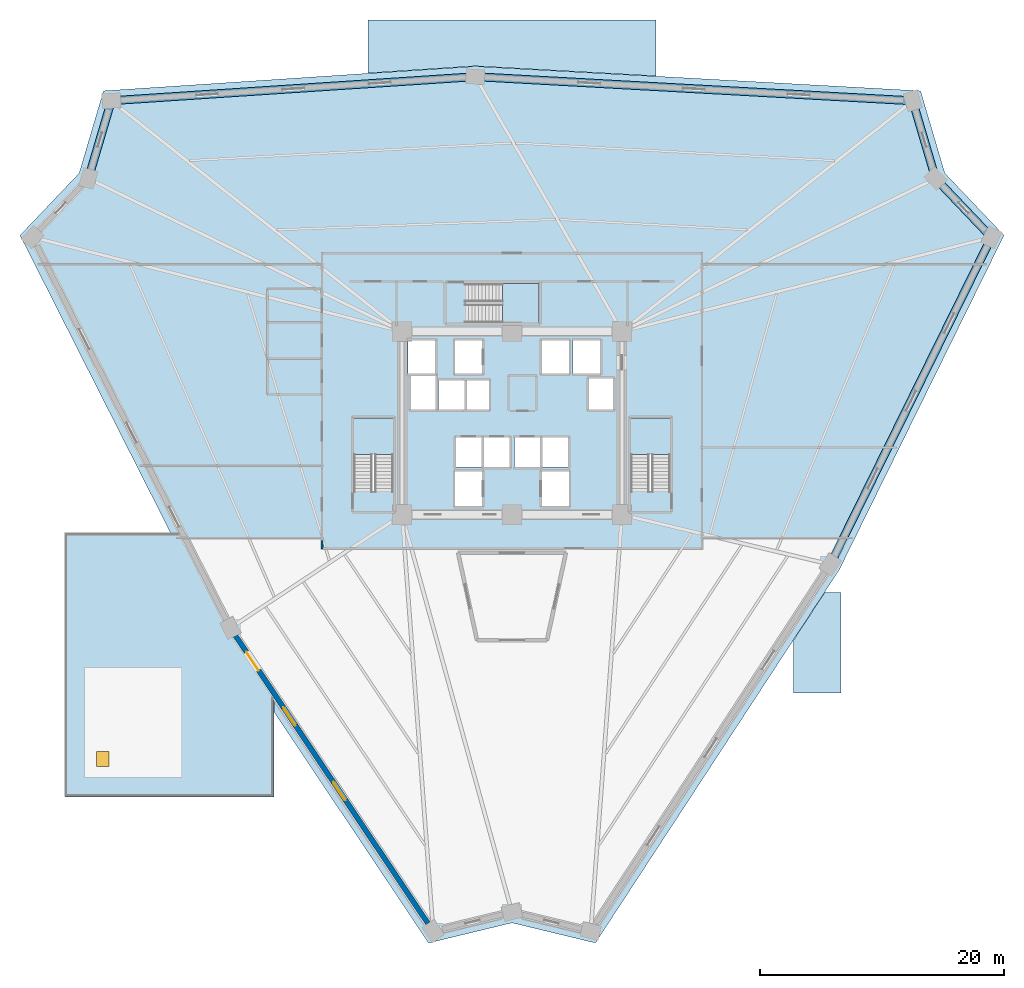
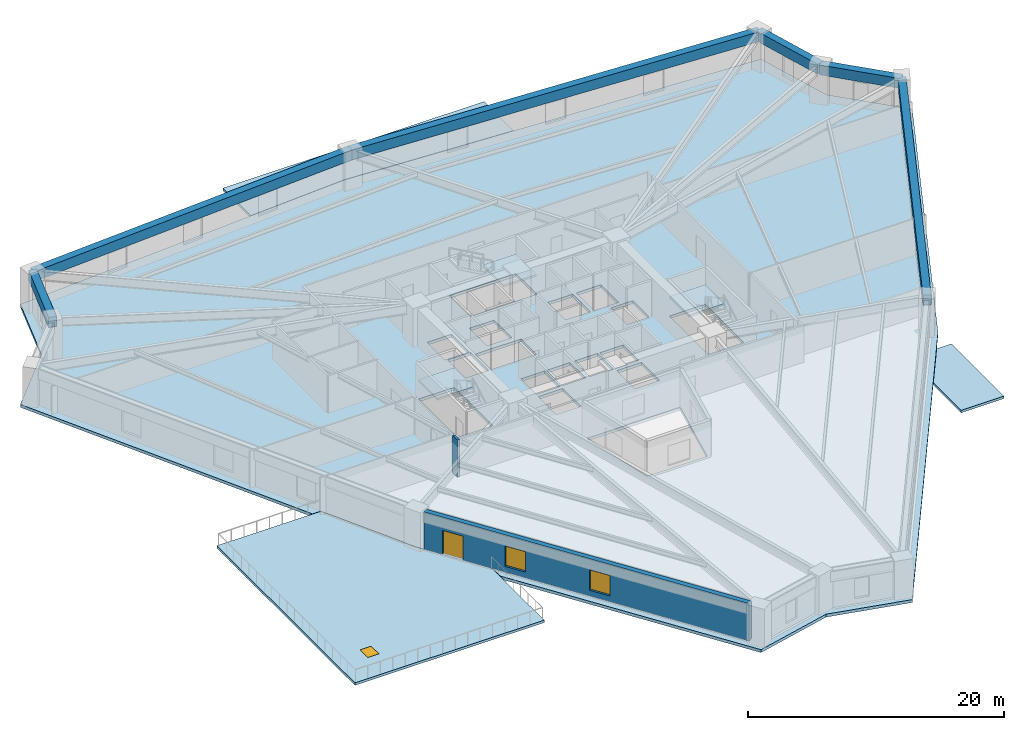
# One storey, part 2 of 9: 7 slabs, 6 beams, 2 doors, 2 walls, 2 windows, 4 openings, 3 elements without a shape of their own.
"""IFC4 building model written with IfcOpenShell, lengths in metres."""

from ifc_helpers import new_model, si_unit, direction, frame, frame_2d, origin, origin_2d, place, context, subcontext, project, spatial, polyline, rectangle, outline, extrude, source, transform, mapped, material, layer, layer_set, material_profile, profile_set, type_object, element, fill, aggregate, save


model = new_model("IFC4")

# Units and contexts
model_context = context("Model", 3, precision=1e-05, world=origin(), true_north=direction((0.0, 1.0)))
body_context = subcontext(model_context, "Body", "Model", "MODEL_VIEW")
ifc_project = project(units=[si_unit("LENGTHUNIT", "METRE"), si_unit("AREAUNIT", "SQUARE_METRE"), si_unit("VOLUMEUNIT", "CUBIC_METRE"), si_unit("PLANEANGLEUNIT", "RADIAN"), si_unit("MASSUNIT", "GRAM", prefix="KILO")], contexts=[model_context])

# Site, building, storey
site_placement = place(None, origin())
site = spatial("IfcSite", under=ifc_project, at=site_placement, CompositionType="ELEMENT")
building_placement = place(site_placement, origin())
building = spatial("IfcBuilding", under=site, at=building_placement, Name="Liaohun Quay Tower", CompositionType="ELEMENT")
storey_placement = place(building_placement, frame((0.0, 0.0, 28.5)))
storey = spatial("IfcBuildingStorey", under=building, at=storey_placement, Name="L07", CompositionType="ELEMENT", Elevation=28.5)

# Beams
ifc_material_1 = material(Name="Precast concrete C55", Category="concrete")
ifc_material_profile = material_profile(ifc_material_1, rectangle(XDim=0.64990234375, YDim=0.949951171875, at=origin_2d()), Name="RC650x950")
ifc_profile_set = profile_set([ifc_material_profile], Name="Precast concrete C55")
beam_type = type_object("IfcBeamType", Name="BM-SPD-Z1", PredefinedType="SPANDREL", material=ifc_profile_set)
shared_shape_1 = source(origin(), body_context, "Body", "SweptSolid", [
    extrude(rectangle(XDim=0.64990234375, YDim=0.949951171875, at=origin_2d()), origin(), (0.0, 0.0, 1.0), 6.64013671875),
])
beam_1_placement = place(storey_placement, frame((25.321044921875, 74.02197265625, 3.094970703125), z_axis=(0.282811203654, 0.959175595544, 0.0), x_axis=(-0.959175595544, 0.282811203654, 0.0)))
element("IfcBeam", 1, at=beam_1_placement, inside=storey, type_object=beam_type, Name="L07 Precast Spandrel Beam PC04-PC05", PredefinedType="SPANDREL", context=body_context, shape_type="MappedRepresentation", body=[
    mapped(shared_shape_1, transform((0.0, 0.0, 0.0), x_axis=(1.0, 0.0, 0.0), y_axis=(0.0, 1.0, 0.0), z_axis=(0.0, 0.0, 1.0), scale=1.0)),
])
shared_shape_2 = source(origin(), body_context, "Body", "SweptSolid", [
    extrude(rectangle(XDim=0.64990234375, YDim=0.949951171875, at=origin_2d()), origin(), (0.0, 0.0, 1.0), 29.861083984375),
])
beam_2_placement = place(storey_placement, frame((27.198974609375, 80.39111328125, 3.094970703125), z_axis=(0.997823697667, 0.065938367993, 0.0), x_axis=(-0.065938367993, 0.997823697667, 0.0)))
element("IfcBeam", 2, at=beam_2_placement, inside=storey, type_object=beam_type, Name="L07 Precast Spandrel Beam PC05-PC06", PredefinedType="SPANDREL", context=body_context, shape_type="MappedRepresentation", body=[
    mapped(shared_shape_2, transform((0.0, 0.0, 0.0), x_axis=(1.0, 0.0, 0.0), y_axis=(0.0, 1.0, 0.0), z_axis=(0.0, 0.0, 1.0), scale=1.0)),
])
shared_shape_3 = source(origin(), body_context, "Body", "SweptSolid", [
    extrude(rectangle(XDim=0.64990234375, YDim=0.949951171875, at=origin_2d()), origin(), (0.0, 0.0, 1.0), 35.8623046875),
])
beam_3_placement = place(storey_placement, frame((56.9951171875, 82.360107421875, 3.094970703125), z_axis=(0.998480750291, -0.055101645152, 0.0), x_axis=(0.055101645152, 0.998480750291, 0.0)))
element("IfcBeam", 3, at=beam_3_placement, inside=storey, type_object=beam_type, Name="L07 Precast Spandrel Beam PC06-PC07", PredefinedType="SPANDREL", context=body_context, shape_type="MappedRepresentation", body=[
    mapped(shared_shape_3, transform((0.0, 0.0, 0.0), x_axis=(1.0, 0.0, 0.0), y_axis=(0.0, 1.0, 0.0), z_axis=(0.0, 0.0, 1.0), scale=1.0)),
])
shared_shape_4 = source(origin(), body_context, "Body", "SweptSolid", [
    extrude(rectangle(XDim=0.64990234375, YDim=0.949951171875, at=origin_2d()), origin(), (0.0, 0.0, 1.0), 6.6328125),
])
beam_4_placement = place(storey_placement, frame((92.802978515625, 80.384033203125, 3.094970703125), z_axis=(0.282829848873, -0.959170097838, 0.0), x_axis=(0.959170097838, 0.282829848873, 0.0)))
element("IfcBeam", 4, at=beam_4_placement, inside=storey, type_object=beam_type, Name="L07 Precast Spandrel Beam PC07-PC08", PredefinedType="SPANDREL", context=body_context, shape_type="MappedRepresentation", body=[
    mapped(shared_shape_4, transform((0.0, 0.0, 0.0), x_axis=(1.0, 0.0, 0.0), y_axis=(0.0, 1.0, 0.0), z_axis=(0.0, 0.0, 1.0), scale=1.0)),
])
shared_shape_5 = source(origin(), body_context, "Body", "SweptSolid", [
    extrude(rectangle(XDim=0.64990234375, YDim=0.949951171875, at=origin_2d()), origin(), (0.0, 0.0, 1.0), 6.639892578125),
])
beam_5_placement = place(storey_placement, frame((94.678955078125, 74.02197265625, 3.094970703125), z_axis=(0.689350289248, -0.724428173606, 0.0), x_axis=(0.724428173606, 0.689350289248, 0.0)))
element("IfcBeam", 5, at=beam_5_placement, inside=storey, type_object=beam_type, Name="L07 Precast Spandrel Beam PC08-PC09", PredefinedType="SPANDREL", context=body_context, shape_type="MappedRepresentation", body=[
    mapped(shared_shape_5, transform((0.0, 0.0, 0.0), x_axis=(1.0, 0.0, 0.0), y_axis=(0.0, 1.0, 0.0), z_axis=(0.0, 0.0, 1.0), scale=1.0)),
])
shared_shape_6 = source(origin(), body_context, "Body", "SweptSolid", [
    extrude(rectangle(XDim=0.64990234375, YDim=0.949951171875, at=origin_2d()), origin(), (0.0, 0.0, 1.0), 29.86083984375),
])
beam_6_placement = place(storey_placement, frame((99.256103515625, 69.2119140625, 3.094970703125), z_axis=(-0.441786381035, -0.897120278186, 0.0), x_axis=(0.897120278186, -0.441786381035, 0.0)))
element("IfcBeam", 6, at=beam_6_placement, inside=storey, type_object=beam_type, Name="L07 Precast Spandrel Beam PC09-PC10", PredefinedType="SPANDREL", context=body_context, shape_type="MappedRepresentation", body=[
    mapped(shared_shape_6, transform((0.0, 0.0, 0.0), x_axis=(1.0, 0.0, 0.0), y_axis=(0.0, 1.0, 0.0), z_axis=(0.0, 0.0, 1.0), scale=1.0)),
])

# Stair, slab
ifc_material_2 = material(Name="Concrete C45", Category="concrete")
stair_type = type_object("IfcStairType", Name="STR-CORE-OFF", PredefinedType="HALF_TURN_STAIR", material=ifc_material_2)
stair_1_placement = place(storey_placement, origin())
stair_1 = element("IfcStair", 7, at=stair_1_placement, inside=storey, type_object=stair_type, Name="L07 Smokeproof Core Exit Stair ST-1", PredefinedType="HALF_TURN_STAIR")
ifc_layer_1 = layer(ifc_material_2, 0.199951171875, Name="Concrete C45", Category="concrete")
ifc_layer_set_1 = layer_set([ifc_layer_1], Name="Concrete C45")
slab_type_1 = type_object("IfcSlabType", Name="SLB-LND-200", PredefinedType="LANDING", material=ifc_layer_set_1)
slab_1_placement = place(storey_placement, frame((0.0, 0.0, 1.675048828125)))
slab_1 = element("IfcSlab", 8, at=slab_1_placement, type_object=slab_type_1, Name="ST-1 landing 1", PredefinedType="LANDING", context=body_context, shape_type="SweptSolid", body=[
    extrude(outline(polyline([(50.280029296875, 51.429931640625), (50.280029296875, 54.419921875), (47.0400390625, 54.419921875), (47.0400390625, 51.429931640625), (50.280029296875, 51.429931640625)])), origin(), (0.0, 0.0, 1.0), 0.199951171875),
])
aggregate(stair_1, [slab_1])

stair_2_placement = place(storey_placement, origin())
stair_2 = element("IfcStair", 9, at=stair_2_placement, inside=storey, type_object=stair_type, Name="L07 Smokeproof Core Exit Stair ST-2", PredefinedType="HALF_TURN_STAIR")
slab_2_placement = place(storey_placement, frame((0.0, 0.0, 1.675048828125)))
slab_2 = element("IfcSlab", 10, at=slab_2_placement, type_object=slab_type_1, Name="ST-2 landing 1", PredefinedType="LANDING", context=body_context, shape_type="SweptSolid", body=[
    extrude(outline(polyline([(72.9599609375, 51.429931640625), (72.9599609375, 54.419921875), (69.719970703125, 54.419921875), (69.719970703125, 51.429931640625), (72.9599609375, 51.429931640625)])), origin(), (0.0, 0.0, 1.0), 0.199951171875),
])
aggregate(stair_2, [slab_2])

stair_3_placement = place(storey_placement, origin())
stair_3 = element("IfcStair", 11, at=stair_3_placement, inside=storey, type_object=stair_type, Name="L07 Smokeproof Core Exit Stair ST-3", PredefinedType="HALF_TURN_STAIR")
slab_3_placement = place(storey_placement, frame((0.0, 0.0, 1.675048828125)))
slab_3 = element("IfcSlab", 12, at=slab_3_placement, type_object=slab_type_1, Name="ST-3 landing 1", PredefinedType="LANDING", context=body_context, shape_type="SweptSolid", body=[
    extrude(outline(polyline([(59.22998046875, 62.199951171875), (62.219970703125, 62.199951171875), (62.219970703125, 65.43994140625), (59.22998046875, 65.43994140625), (59.22998046875, 62.199951171875)])), origin(), (0.0, 0.0, 1.0), 0.199951171875),
])
aggregate(stair_3, [slab_3])

# Slab
ifc_material_3 = material(Name="Concrete C50", Category="concrete")
ifc_layer_2 = layer(ifc_material_3, 0.280029296875, Name="Concrete C50", Category="concrete")
ifc_layer_set_2 = layer_set([ifc_layer_2], Name="Concrete C50")
slab_type_2 = type_object("IfcSlabType", Name="SLB-REF-280", PredefinedType="FLOOR", material=ifc_layer_set_2)
slab_4_placement = place(storey_placement, frame((0.0, 0.0, -0.280029296875)))
element("IfcSlab", 13, at=slab_4_placement, inside=storey, type_object=slab_type_2, Name="L07 Structural Floor Slab", PredefinedType="FLOOR", context=body_context, shape_type="SweptSolid", body=[
    extrude(outline(polyline([(32.0419921875, 45.014892578125), (32.77587890625, 45.014892578125), (36.77294921875, 37.118896484375), (40.514892578125, 31.52490234375), (40.514892578125, 30.345947265625), (53.1689453125, 11.431884765625), (60.0, 13.08203125), (66.8310546875, 11.431884765625), (86.803955078125, 42.0009765625), (100.281005859375, 69.367919921875), (95.43603515625, 74.458984375), (93.448974609375, 81.199951171875), (56.989990234375, 83.2119140625), (26.551025390625, 81.199951171875), (24.56396484375, 74.458984375), (19.718994140625, 69.367919921875), (32.0419921875, 45.014892578125)]), holes=[polyline([(57.56005859375, 47.2099609375), (57.56005859375, 50.030029296875), (55.340087890625, 50.030029296875), (55.340087890625, 47.2099609375), (57.56005859375, 47.2099609375)]), polyline([(50.280029296875, 54.419921875), (47.0400390625, 54.419921875), (47.0400390625, 48.409912109375), (50.280029296875, 48.409912109375), (50.280029296875, 54.419921875)]), polyline([(57.510009765625, 50.389892578125), (57.510009765625, 52.81005859375), (55.389892578125, 52.81005859375), (55.389892578125, 50.389892578125), (57.510009765625, 50.389892578125)]), polyline([(59.81005859375, 50.389892578125), (59.81005859375, 52.81005859375), (57.68994140625, 52.81005859375), (57.68994140625, 50.389892578125), (59.81005859375, 50.389892578125)]), polyline([(58.110107421875, 57.510009765625), (53.989990234375, 57.510009765625), (53.989990234375, 55.090087890625), (58.110107421875, 55.090087890625), (58.110107421875, 57.510009765625)]), polyline([(53.760009765625, 55.090087890625), (53.760009765625, 57.909912109375), (51.7099609375, 57.909912109375), (51.7099609375, 55.090087890625), (53.760009765625, 55.090087890625)]), polyline([(51.489990234375, 58.0400390625), (53.7099609375, 58.0400390625), (53.7099609375, 60.7900390625), (51.489990234375, 60.7900390625), (51.489990234375, 58.0400390625)]), polyline([(55.340087890625, 58.0400390625), (57.56005859375, 58.0400390625), (57.56005859375, 60.7900390625), (55.340087890625, 60.7900390625), (55.340087890625, 58.0400390625)]), polyline([(62.72998046875, 36.39990234375), (64.199951171875, 43.199951171875), (55.800048828125, 43.199951171875), (57.27001953125, 36.39990234375), (62.72998046875, 36.39990234375)]), polyline([(64.659912109375, 47.2099609375), (64.659912109375, 50.030029296875), (62.43994140625, 50.030029296875), (62.43994140625, 47.2099609375), (64.659912109375, 47.2099609375)]), polyline([(72.9599609375, 54.419921875), (69.719970703125, 54.419921875), (69.719970703125, 48.409912109375), (72.9599609375, 48.409912109375), (72.9599609375, 54.419921875)]), polyline([(62.31005859375, 50.389892578125), (62.31005859375, 52.81005859375), (60.18994140625, 52.81005859375), (60.18994140625, 50.389892578125), (62.31005859375, 50.389892578125)]), polyline([(64.610107421875, 50.389892578125), (64.610107421875, 52.81005859375), (62.489990234375, 52.81005859375), (62.489990234375, 50.389892578125), (64.610107421875, 50.389892578125)]), polyline([(68.2900390625, 55.090087890625), (68.2900390625, 57.659912109375), (66.2900390625, 57.659912109375), (66.2900390625, 55.090087890625), (68.2900390625, 55.090087890625)]), polyline([(64.659912109375, 58.0400390625), (64.659912109375, 60.7900390625), (62.43994140625, 60.7900390625), (62.43994140625, 58.0400390625), (64.659912109375, 58.0400390625)]), polyline([(64.989990234375, 58.0400390625), (67.2099609375, 58.0400390625), (67.2099609375, 60.7900390625), (64.989990234375, 60.7900390625), (64.989990234375, 58.0400390625)]), polyline([(56.2099609375, 62.199951171875), (62.219970703125, 62.199951171875), (62.219970703125, 65.43994140625), (56.2099609375, 65.43994140625), (56.2099609375, 62.199951171875)])]), origin(), (0.0, 0.0, 1.0), 0.280029296875),
])

# Slab, opening, door
ifc_layer_3 = layer(ifc_material_3, 0.239990234375, Name="Concrete C50", Category="concrete")
ifc_layer_set_3 = layer_set([ifc_layer_3], Name="Concrete C50")
slab_type_3 = type_object("IfcSlabType", Name="SLB-TER-240", PredefinedType="ROOF", material=ifc_layer_set_3)
slab_5_placement = place(storey_placement, frame((0.0, 0.0, -0.239990234375)))
slab_5 = element("IfcSlab", 14, at=slab_5_placement, inside=storey, type_object=slab_type_3, Name="L07 Podium Roof Garden Terrace Slab", PredefinedType="ROOF", context=body_context, shape_type="SweptSolid", body=[
    extrude(outline(polyline([(23.39990234375, 23.39990234375), (40.5, 23.39990234375), (40.5, 31.52001953125), (36.760009765625, 37.111083984375), (32.76708984375, 45.0), (23.39990234375, 45.0), (23.39990234375, 23.39990234375)])), origin(), (0.0, 0.0, 1.0), 0.239990234375),
])
opening_1_placement = place(slab_5_placement, frame((26.5, 26.5, 0.0)))
opening_1 = element("IfcOpeningElement", 15, at=opening_1_placement, cuts=slab_5, Name="Opening HD1", PredefinedType="OPENING", context=body_context, shape_type="SweptSolid", body=[
    extrude(rectangle(XDim=1.0, YDim=1.199951171875, at=origin_2d()), origin(), (0.0, 0.0, 1.0), 0.239990234375),
])
ifc_material_4 = material(Name="Insulated aluminium roof access hatch", Category="aluminium")
door_type_1 = type_object("IfcDoorType", Name="DOR-HTC-1000", OperationType="SINGLE_SWING_LEFT", PredefinedType="TRAPDOOR", material=ifc_material_4)
door_1_placement = place(opening_1_placement, frame((0.0, 0.0, 0.18994140625)))
door_1 = element("IfcDoor", 16, at=door_1_placement, inside=storey, type_object=door_type_1, Name="L07 Podium Roof Access Hatch", OperationType="SINGLE_SWING_LEFT", OverallHeight=1.199951171875, OverallWidth=1.0, PredefinedType="TRAPDOOR", context=body_context, shape_type="SweptSolid", body=[
    extrude(rectangle(XDim=1.0, YDim=1.199951171875, at=origin_2d()), origin(), (0.0, 0.0, 1.0), 0.050048828125),
])
fill(opening_1, door_1)

# Slabs
slab_6_placement = place(storey_placement, frame((0.0, 0.0, -0.239990234375)))
element("IfcSlab", 17, at=slab_6_placement, inside=storey, type_object=slab_type_3, Name="L07 Transfer Plant Room Roof Slab", PredefinedType="ROOF", context=body_context, shape_type="SweptSolid", body=[
    extrude(outline(polyline([(48.199951171875, 82.64599609375), (56.989990234375, 83.22705078125), (71.800048828125, 82.409912109375), (71.800048828125, 87.0), (48.199951171875, 87.0), (48.199951171875, 82.64599609375)])), origin(), (0.0, 0.0, 1.0), 0.239990234375),
])
slab_7_placement = place(storey_placement, frame((0.0, 0.0, -0.239990234375)))
element("IfcSlab", 18, at=slab_7_placement, inside=storey, type_object=slab_type_3, Name="L07 Podium Stair ST-P2 Head House Roof Slab", PredefinedType="ROOF", context=body_context, shape_type="SweptSolid", body=[
    extrude(outline(polyline([(85.593017578125, 40.1201171875), (83.0400390625, 36.212890625), (83.0400390625, 31.8798828125), (86.919921875, 31.8798828125), (86.919921875, 40.1201171875), (85.593017578125, 40.1201171875)])), origin(), (0.0, 0.0, 1.0), 0.239990234375),
])

# Wall, openings, door, windows
ifc_material_5 = material(Name="Precast concrete C50 insulated sandwich", Category="concrete")
ifc_layer_4 = layer(ifc_material_5, 0.419921875, Name="Precast concrete C50 insulated sandwich", Category="concrete")
ifc_layer_set_4 = layer_set([ifc_layer_4], Name="Precast concrete C50 insulated sandwich")
wall_type_1 = type_object("IfcWallType", Name="WAL-EXT-Z12", PredefinedType="SOLIDWALL", material=ifc_layer_set_4)
wall_1_placement = place(storey_placement, frame((37.365966796875, 36.5810546875, 0.0), z_axis=(0.0, 0.0, 1.0), x_axis=(0.556077484232, -0.831130453979, 0.0)))
wall_1 = element("IfcWall", 19, at=wall_1_placement, inside=storey, type_object=wall_type_1, Name="L07 Brutalist Precast Pier Wall 11", PredefinedType="SOLIDWALL", context=body_context, shape_type="SweptSolid", body=[
    extrude(rectangle(XDim=28.33251953125, YDim=0.419921875, at=frame_2d((14.166259765625, 0.0))), origin(), (0.0, 0.0, 1.0), 3.570068359375),
])
shared_shape_7 = source(origin(), body_context, "Body", "SweptSolid", [
    extrude(rectangle(XDim=1.800048828125, YDim=2.300048828125, at=frame_2d((0.89990234375, 1.14990234375))), frame((0.0, 0.219970703125, 0.0), z_axis=(0.0, -1.0, 0.0), x_axis=(1.0, 0.0, 0.0)), (0.0, 0.0, 1.0), 0.43994140625),
])
opening_2_placement = place(wall_1_placement, frame((1.60009765625, 0.0, 0.0)))
opening_2 = element("IfcOpeningElement", 20, at=opening_2_placement, cuts=wall_1, Name="Opening TD1", PredefinedType="OPENING", context=body_context, shape_type="MappedRepresentation", body=[
    mapped(shared_shape_7, transform((0.0, 0.0, 0.0), x_axis=(1.0, 0.0, 0.0), y_axis=(0.0, 1.0, 0.0), z_axis=(0.0, 0.0, 1.0), scale=1.0)),
])
shared_shape_8 = source(origin(), body_context, "Body", "SweptSolid", [
    extrude(rectangle(XDim=1.800048828125, YDim=1.949951171875, at=frame_2d((0.89990234375, 0.97509765625))), frame((0.0, 0.219970703125, 0.0), z_axis=(0.0, -1.0, 0.0), x_axis=(1.0, 0.0, 0.0)), (0.0, 0.0, 1.0), 0.43994140625),
])
opening_3_placement = place(wall_1_placement, frame((7.032958984375, 0.0, 0.550048828125)))
opening_3 = element("IfcOpeningElement", 21, at=opening_3_placement, cuts=wall_1, Name="Opening W01", PredefinedType="OPENING", context=body_context, shape_type="MappedRepresentation", body=[
    mapped(shared_shape_8, transform((0.0, 0.0, 0.0), x_axis=(1.0, 0.0, 0.0), y_axis=(0.0, 1.0, 0.0), z_axis=(0.0, 0.0, 1.0), scale=1.0)),
])
opening_4_placement = place(wall_1_placement, frame((14.39990234375, 0.0, 0.550048828125)))
opening_4 = element("IfcOpeningElement", 22, at=opening_4_placement, cuts=wall_1, Name="Opening W01", PredefinedType="OPENING", context=body_context, shape_type="MappedRepresentation", body=[
    mapped(shared_shape_8, transform((0.0, 0.0, 0.0), x_axis=(1.0, 0.0, 0.0), y_axis=(0.0, 1.0, 0.0), z_axis=(0.0, 0.0, 1.0), scale=1.0)),
])
ifc_material_6 = material(Name="Thermally broken aluminium and triple glazing", Category="aluminium")
door_type_2 = type_object("IfcDoorType", Name="DOR-TERR-1800", OperationType="DOUBLE_DOOR_SINGLE_SWING", PredefinedType="DOOR", material=ifc_material_6)
shared_shape_9 = source(origin(), body_context, "Body", "SweptSolid", [
    extrude(rectangle(XDim=1.800048828125, YDim=2.300048828125, at=frame_2d((0.89990234375, 1.14990234375))), frame((0.0, 0.02490234375, 0.0), z_axis=(0.0, -1.0, 0.0), x_axis=(1.0, 0.0, 0.0)), (0.0, 0.0, 1.0), 0.050048828125),
])
door_2_placement = place(opening_2_placement, origin())
door_2 = element("IfcDoor", 23, at=door_2_placement, inside=storey, type_object=door_type_2, Name="L07 Podium Roof Garden Terrace Door", OperationType="DOUBLE_DOOR_SINGLE_SWING", OverallHeight=2.300048828125, OverallWidth=1.800048828125, PredefinedType="DOOR", context=body_context, shape_type="MappedRepresentation", body=[
    mapped(shared_shape_9, transform((0.0, 0.0, 0.0), x_axis=(1.0, 0.0, 0.0), y_axis=(0.0, 1.0, 0.0), z_axis=(0.0, 0.0, 1.0), scale=1.0)),
])
fill(opening_2, door_2)
ifc_material_7 = material(Name="Triple Low-E argon glazing in thermally broken aluminium", Category="aluminium")
window_type = type_object("IfcWindowType", Name="WIN-PUN-Z1", PartitioningType="DOUBLE_PANEL_VERTICAL", PredefinedType="WINDOW", material=ifc_material_7)
shared_shape_10 = source(origin(), body_context, "Body", "SweptSolid", [
    extrude(rectangle(XDim=1.800048828125, YDim=1.949951171875, at=frame_2d((0.89990234375, 0.97509765625))), frame((0.0, 0.030029296875, 0.0), z_axis=(0.0, -1.0, 0.0), x_axis=(1.0, 0.0, 0.0)), (0.0, 0.0, 1.0), 0.06005859375),
])
window_1_placement = place(opening_3_placement, origin())
window_1 = element("IfcWindow", 24, at=window_1_placement, inside=storey, type_object=window_type, Name="L07 Recessed Cold-Climate Punched Window 11-1", OverallHeight=1.949951171875, OverallWidth=1.800048828125, PartitioningType="DOUBLE_PANEL_VERTICAL", PredefinedType="WINDOW", context=body_context, shape_type="MappedRepresentation", body=[
    mapped(shared_shape_10, transform((0.0, 0.0, 0.0), x_axis=(1.0, 0.0, 0.0), y_axis=(0.0, 1.0, 0.0), z_axis=(0.0, 0.0, 1.0), scale=1.0)),
])
fill(opening_3, window_1)
window_2_placement = place(opening_4_placement, origin())
window_2 = element("IfcWindow", 25, at=window_2_placement, inside=storey, type_object=window_type, Name="L07 Recessed Cold-Climate Punched Window 11-2", OverallHeight=1.949951171875, OverallWidth=1.800048828125, PartitioningType="DOUBLE_PANEL_VERTICAL", PredefinedType="WINDOW", context=body_context, shape_type="MappedRepresentation", body=[
    mapped(shared_shape_10, transform((0.0, 0.0, 0.0), x_axis=(1.0, 0.0, 0.0), y_axis=(0.0, 1.0, 0.0), z_axis=(0.0, 0.0, 1.0), scale=1.0)),
])
fill(opening_4, window_2)

# Wall
ifc_material_8 = material(Name="Autoclaved aerated concrete blockwork", Category="masonry")
ifc_layer_5 = layer(ifc_material_8, 0.179931640625, Name="Autoclaved aerated concrete blockwork", Category="masonry")
ifc_layer_set_5 = layer_set([ifc_layer_5], Name="Autoclaved aerated concrete blockwork")
wall_type_2 = type_object("IfcWallType", Name="WAL-PRT-COR", PredefinedType="PARTITIONING", material=ifc_layer_set_5)
wall_2_placement = place(storey_placement, frame((44.43994140625, 43.669921875, 0.0), z_axis=(0.0, 0.0, 1.0), x_axis=(0.0, 1.0, 0.0)))
element("IfcWall", 26, at=wall_2_placement, inside=storey, type_object=wall_type_2, Name="L07 Interior Partition Wall 028", PredefinedType="PARTITIONING", context=body_context, shape_type="SweptSolid", body=[
    extrude(rectangle(XDim=0.715087890625, YDim=0.179931640625, at=frame_2d((0.357421875, 0.0))), origin(), (0.0, 0.0, 1.0), 3.570068359375),
])

save(model, "model.ifc")
